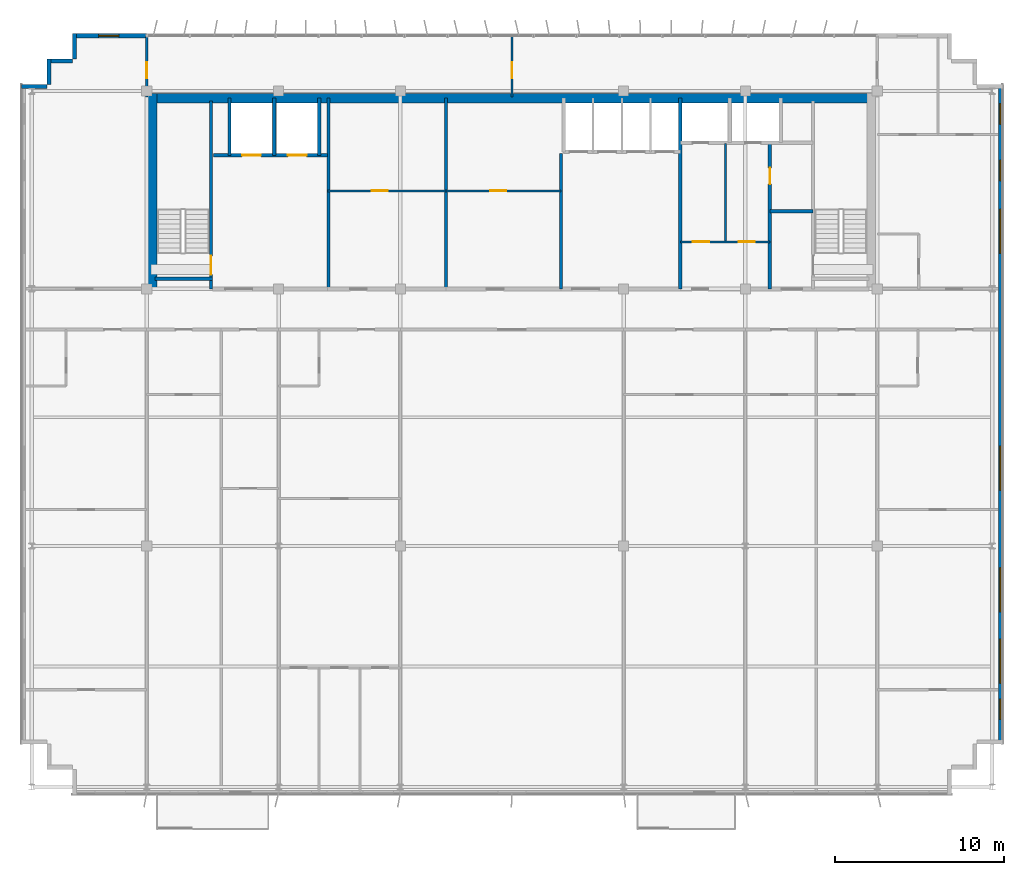
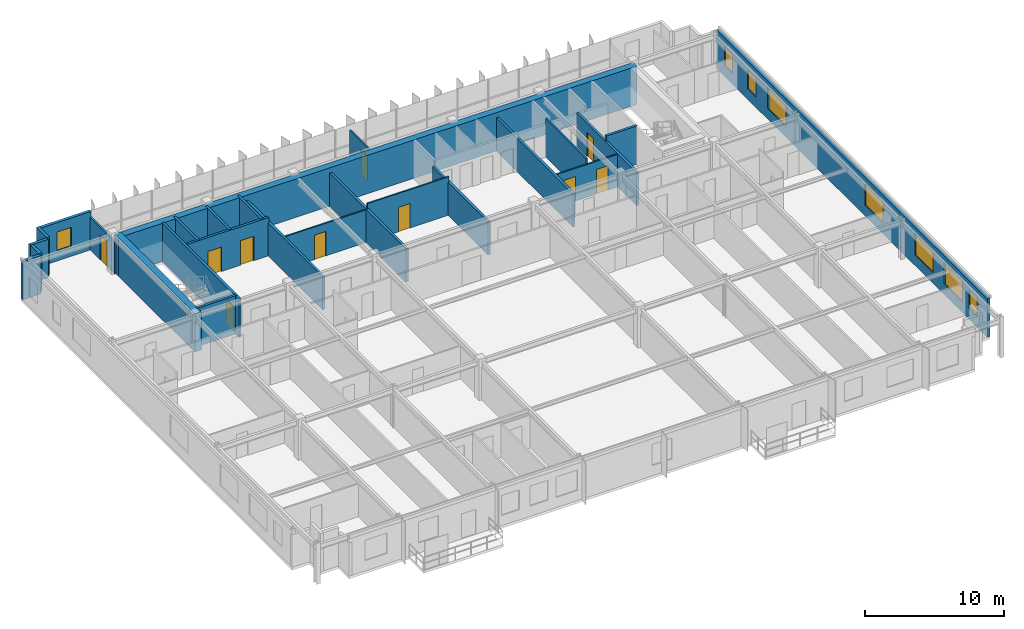
# One storey, part 19 of 22: 26 walls, 10 doors, 8 windows, 18 openings.
"""IFC4 building model written with IfcOpenShell, lengths in metres."""

from ifc_helpers import new_model, si_unit, direction, frame, frame_2d, origin, place, context, subcontext, project, spatial, rectangle, extrude, source, transform, mapped, material, layer, layer_set, type_object, element, fill, save


model = new_model("IFC4")

# Units and contexts
model_context = context("Model", 3, precision=1e-05, world=origin(), true_north=direction((0.0, 1.0)))
body_context = subcontext(model_context, "Body", "Model", "MODEL_VIEW")
ifc_project = project(units=[si_unit("LENGTHUNIT", "METRE"), si_unit("AREAUNIT", "SQUARE_METRE"), si_unit("VOLUMEUNIT", "CUBIC_METRE"), si_unit("PLANEANGLEUNIT", "RADIAN"), si_unit("MASSUNIT", "GRAM", prefix="KILO")], contexts=[model_context])

# Site, building, storey
site_placement = place(None, origin())
site = spatial("IfcSite", under=ifc_project, at=site_placement, CompositionType="ELEMENT")
building_placement = place(site_placement, origin())
building = spatial("IfcBuilding", under=site, at=building_placement, Name="Trelvane Seafront Commons", CompositionType="ELEMENT")
storey_placement = place(building_placement, frame((0.0, 0.0, 270.300048828125)))
storey = spatial("IfcBuildingStorey", under=building, at=storey_placement, Name="L70", CompositionType="ELEMENT", Elevation=270.300048828125)

# Wall, opening, window
ifc_material_1 = material(Name="Precast concrete C40/50", Category="concrete")
ifc_layer_1 = layer(ifc_material_1, 0.239990234375, Name="ARCH-WALL-EXT240")
ifc_layer_set_1 = layer_set([ifc_layer_1], Name="Precast concrete C40/50")
wall_type_1 = type_object("IfcWallType", Name="ARCH-WALL-EXT240", PredefinedType="SOLIDWALL", material=ifc_layer_set_1)
wall_1_placement = place(storey_placement, frame((11.300048828125, 48.3701171875, 0.0), z_axis=(0.0, 0.0, 1.0), x_axis=(1.0, 0.0, 0.0)))
wall_1 = element("IfcWall", 1, at=wall_1_placement, inside=storey, type_object=wall_type_1, Name="EW-L70-NW-1403", PredefinedType="SOLIDWALL", context=body_context, shape_type="SweptSolid", body=[
    extrude(rectangle(XDim=4.300048828125, YDim=0.239990234375, at=frame_2d((2.14990234375, 0.0))), origin(), (0.0, 0.0, 1.0), 3.369873046875),
])
opening_1_placement = place(wall_1_placement, frame((1.4599609375, 0.0, 0.89990234375)))
opening_1 = element("IfcOpeningElement", 2, at=opening_1_placement, cuts=wall_1, Name="Opening W05", PredefinedType="OPENING", context=body_context, shape_type="SweptSolid", body=[
    extrude(rectangle(XDim=1.199951171875, YDim=1.64990234375, at=frame_2d((0.60009765625, 0.824951171875))), frame((0.0, 0.1298828125, 0.0), z_axis=(0.0, -1.0, 0.0), x_axis=(1.0, 0.0, 0.0)), (0.0, 0.0, 1.0), 0.260009765625),
])
ifc_material_2 = material(Name="Low-E coastal double glazing", Category="glass")
window_type_1 = type_object("IfcWindowType", Name="ARCH-WIN-W05", PartitioningType="SINGLE_PANEL", PredefinedType="WINDOW", material=ifc_material_2)
shared_shape_1 = source(origin(), body_context, "Body", "SweptSolid", [
    extrude(rectangle(XDim=1.199951171875, YDim=1.64990234375, at=frame_2d((0.60009765625, 0.824951171875))), frame((0.0, 0.030029296875, 0.0), z_axis=(0.0, -1.0, 0.0), x_axis=(1.0, 0.0, 0.0)), (0.0, 0.0, 1.0), 0.06005859375),
])
window_1_placement = place(opening_1_placement, origin())
window_1 = element("IfcWindow", 3, at=window_1_placement, inside=storey, type_object=window_type_1, Name="WIN-L70-01672", OverallHeight=1.64990234375, OverallWidth=1.199951171875, PartitioningType="SINGLE_PANEL", PredefinedType="WINDOW", context=body_context, shape_type="MappedRepresentation", body=[
    mapped(shared_shape_1, transform((0.0, 0.0, 0.0), x_axis=(1.0, 0.0, 0.0), y_axis=(0.0, 1.0, 0.0), z_axis=(0.0, 0.0, 1.0), scale=1.0)),
])
fill(opening_1, window_1)

# Walls
for number, where, z_axis, x_axis, name in (
    (4, (8.199951171875, 45.3798828125, 0.0), (0.0, 0.0, 1.0), (1.0, 0.0, 0.0), "EW-L70-01409"),
    (5, (9.820068359375, 45.5, 0.0), (0.0, 0.0, 1.0), (0.0, 1.0, 0.0), "EW-L70-01410"),
    (6, (9.699951171875, 46.8798828125, 0.0), (0.0, 0.0, 1.0), (1.0, 0.0, 0.0), "EW-L70-01411"),
    (7, (11.320068359375, 47.0, 0.0), (0.0, 0.0, 1.0), (0.0, 1.0, 0.0), "EW-L70-01412"),
):
    element("IfcWall", number, at=place(storey_placement, frame(where, z_axis=z_axis, x_axis=x_axis)), inside=storey, type_object=wall_type_1, Name=name, PredefinedType="SOLIDWALL", context=body_context, shape_type="SweptSolid", body=[
        extrude(rectangle(XDim=1.5, YDim=0.239990234375, at=frame_2d((0.75, 0.0))), origin(), (0.0, 0.0, 1.0), 3.369873046875),
    ])

# Wall, openings, windows
wall_2_placement = place(storey_placement, frame((66.080078125, 45.5, 0.0), z_axis=(0.0, 0.0, 1.0), x_axis=(0.0, -1.0, 0.0)))
wall_2 = element("IfcWall", 8, at=wall_2_placement, inside=storey, type_object=wall_type_1, Name="EW-L70-01417", PredefinedType="SOLIDWALL", context=body_context, shape_type="SweptSolid", body=[
    extrude(rectangle(XDim=39.0, YDim=0.239990234375, at=frame_2d((19.5, 0.0))), origin(), (0.0, 0.0, 1.0), 3.369873046875),
])
opening_2_placement = place(wall_2_placement, frame((36.35009765625, 0.0, 0.919921875)))
opening_2 = element("IfcOpeningElement", 9, at=opening_2_placement, cuts=wall_2, Name="Opening W05", PredefinedType="OPENING", context=body_context, shape_type="SweptSolid", body=[
    extrude(rectangle(XDim=1.199951171875, YDim=1.64990234375, at=frame_2d((0.60009765625, 0.824951171875))), frame((0.0, 0.1298828125, 0.0), z_axis=(0.0, -1.0, 0.0), x_axis=(1.0, 0.0, 0.0)), (0.0, 0.0, 1.0), 0.260009765625),
])
opening_3_placement = place(wall_2_placement, frame((32.800048828125, 0.0, 0.919921875)))
opening_3 = element("IfcOpeningElement", 10, at=opening_3_placement, cuts=wall_2, Name="Opening W04", PredefinedType="OPENING", context=body_context, shape_type="SweptSolid", body=[
    extrude(rectangle(XDim=2.60009765625, YDim=1.89990234375, at=frame_2d((1.300048828125, 0.949951171875))), frame((0.0, 0.1298828125, 0.0), z_axis=(0.0, -1.0, 0.0), x_axis=(1.0, 0.0, 0.0)), (0.0, 0.0, 1.0), 0.260009765625),
])
opening_4_placement = place(wall_2_placement, frame((28.60009765625, 0.0, 0.919921875)))
opening_4 = element("IfcOpeningElement", 11, at=opening_4_placement, cuts=wall_2, Name="Opening W04", PredefinedType="OPENING", context=body_context, shape_type="SweptSolid", body=[
    extrude(rectangle(XDim=2.60009765625, YDim=1.89990234375, at=frame_2d((1.300048828125, 0.949951171875))), frame((0.0, 0.1298828125, 0.0), z_axis=(0.0, -1.0, 0.0), x_axis=(1.0, 0.0, 0.0)), (0.0, 0.0, 1.0), 0.260009765625),
])
opening_5_placement = place(wall_2_placement, frame((21.39990234375, 0.0, 0.919921875)))
opening_5 = element("IfcOpeningElement", 12, at=opening_5_placement, cuts=wall_2, Name="Opening W04", PredefinedType="OPENING", context=body_context, shape_type="SweptSolid", body=[
    extrude(rectangle(XDim=2.60009765625, YDim=1.89990234375, at=frame_2d((1.300048828125, 0.949951171875))), frame((0.0, 0.1298828125, 0.0), z_axis=(0.0, -1.0, 0.0), x_axis=(1.0, 0.0, 0.0)), (0.0, 0.0, 1.0), 0.260009765625),
])
opening_6_placement = place(wall_2_placement, frame((7.39990234375, 0.0, 0.919921875)))
opening_6 = element("IfcOpeningElement", 13, at=opening_6_placement, cuts=wall_2, Name="Opening W04", PredefinedType="OPENING", context=body_context, shape_type="SweptSolid", body=[
    extrude(rectangle(XDim=2.60009765625, YDim=1.89990234375, at=frame_2d((1.300048828125, 0.949951171875))), frame((0.0, 0.1298828125, 0.0), z_axis=(0.0, -1.0, 0.0), x_axis=(1.0, 0.0, 0.0)), (0.0, 0.0, 1.0), 0.260009765625),
])
opening_7_placement = place(wall_2_placement, frame((4.5, 0.0, 0.919921875)))
opening_7 = element("IfcOpeningElement", 14, at=opening_7_placement, cuts=wall_2, Name="Opening W05", PredefinedType="OPENING", context=body_context, shape_type="SweptSolid", body=[
    extrude(rectangle(XDim=1.199951171875, YDim=1.64990234375, at=frame_2d((0.60009765625, 0.824951171875))), frame((0.0, 0.1298828125, 0.0), z_axis=(0.0, -1.0, 0.0), x_axis=(1.0, 0.0, 0.0)), (0.0, 0.0, 1.0), 0.260009765625),
])
opening_8_placement = place(wall_2_placement, frame((1.14990234375, 0.0, 0.919921875)))
opening_8 = element("IfcOpeningElement", 15, at=opening_8_placement, cuts=wall_2, Name="Opening W05", PredefinedType="OPENING", context=body_context, shape_type="SweptSolid", body=[
    extrude(rectangle(XDim=1.199951171875, YDim=1.64990234375, at=frame_2d((0.60009765625, 0.824951171875))), frame((0.0, 0.1298828125, 0.0), z_axis=(0.0, -1.0, 0.0), x_axis=(1.0, 0.0, 0.0)), (0.0, 0.0, 1.0), 0.260009765625),
])
window_type_2 = type_object("IfcWindowType", Name="ARCH-WIN-W04", PartitioningType="SINGLE_PANEL", PredefinedType="WINDOW", material=ifc_material_2)
shared_shape_2 = source(origin(), body_context, "Body", "SweptSolid", [
    extrude(rectangle(XDim=2.60009765625, YDim=1.89990234375, at=frame_2d((1.300048828125, 0.949951171875))), frame((0.0, 0.030029296875, 0.0), z_axis=(0.0, -1.0, 0.0), x_axis=(1.0, 0.0, 0.0)), (0.0, 0.0, 1.0), 0.06005859375),
])
window_2_placement = place(opening_3_placement, origin())
window_2 = element("IfcWindow", 16, at=window_2_placement, inside=storey, type_object=window_type_2, Name="WIN-L70-EW-01682", OverallHeight=1.89990234375, OverallWidth=2.60009765625, PartitioningType="SINGLE_PANEL", PredefinedType="WINDOW", context=body_context, shape_type="MappedRepresentation", body=[
    mapped(shared_shape_2, transform((0.0, 0.0, 0.0), x_axis=(1.0, 0.0, 0.0), y_axis=(0.0, 1.0, 0.0), z_axis=(0.0, 0.0, 1.0), scale=1.0)),
])
fill(opening_3, window_2)
window_3_placement = place(opening_4_placement, origin())
window_3 = element("IfcWindow", 17, at=window_3_placement, inside=storey, type_object=window_type_2, Name="WIN-L70-EW-01683", OverallHeight=1.89990234375, OverallWidth=2.60009765625, PartitioningType="SINGLE_PANEL", PredefinedType="WINDOW", context=body_context, shape_type="MappedRepresentation", body=[
    mapped(shared_shape_2, transform((0.0, 0.0, 0.0), x_axis=(1.0, 0.0, 0.0), y_axis=(0.0, 1.0, 0.0), z_axis=(0.0, 0.0, 1.0), scale=1.0)),
])
fill(opening_4, window_3)
window_4_placement = place(opening_5_placement, origin())
window_4 = element("IfcWindow", 18, at=window_4_placement, inside=storey, type_object=window_type_2, Name="WIN-L70-EW-01684", OverallHeight=1.89990234375, OverallWidth=2.60009765625, PartitioningType="SINGLE_PANEL", PredefinedType="WINDOW", context=body_context, shape_type="MappedRepresentation", body=[
    mapped(shared_shape_2, transform((0.0, 0.0, 0.0), x_axis=(1.0, 0.0, 0.0), y_axis=(0.0, 1.0, 0.0), z_axis=(0.0, 0.0, 1.0), scale=1.0)),
])
fill(opening_5, window_4)
window_5_placement = place(opening_6_placement, origin())
window_5 = element("IfcWindow", 19, at=window_5_placement, inside=storey, type_object=window_type_2, Name="WIN-L70-EW-01685", OverallHeight=1.89990234375, OverallWidth=2.60009765625, PartitioningType="SINGLE_PANEL", PredefinedType="WINDOW", context=body_context, shape_type="MappedRepresentation", body=[
    mapped(shared_shape_2, transform((0.0, 0.0, 0.0), x_axis=(1.0, 0.0, 0.0), y_axis=(0.0, 1.0, 0.0), z_axis=(0.0, 0.0, 1.0), scale=1.0)),
])
fill(opening_6, window_5)
window_6_placement = place(opening_2_placement, origin())
window_6 = element("IfcWindow", 20, at=window_6_placement, inside=storey, type_object=window_type_1, Name="WIN-L70-EW-01681", OverallHeight=1.64990234375, OverallWidth=1.199951171875, PartitioningType="SINGLE_PANEL", PredefinedType="WINDOW", context=body_context, shape_type="MappedRepresentation", body=[
    mapped(shared_shape_1, transform((0.0, 0.0, 0.0), x_axis=(1.0, 0.0, 0.0), y_axis=(0.0, 1.0, 0.0), z_axis=(0.0, 0.0, 1.0), scale=1.0)),
])
fill(opening_2, window_6)
window_7_placement = place(opening_7_placement, origin())
window_7 = element("IfcWindow", 21, at=window_7_placement, inside=storey, type_object=window_type_1, Name="WIN-L70-EW-01686", OverallHeight=1.64990234375, OverallWidth=1.199951171875, PartitioningType="SINGLE_PANEL", PredefinedType="WINDOW", context=body_context, shape_type="MappedRepresentation", body=[
    mapped(shared_shape_1, transform((0.0, 0.0, 0.0), x_axis=(1.0, 0.0, 0.0), y_axis=(0.0, 1.0, 0.0), z_axis=(0.0, 0.0, 1.0), scale=1.0)),
])
fill(opening_7, window_7)
window_8_placement = place(opening_8_placement, origin())
window_8 = element("IfcWindow", 22, at=window_8_placement, inside=storey, type_object=window_type_1, Name="WIN-L70-EW-01687", OverallHeight=1.64990234375, OverallWidth=1.199951171875, PartitioningType="SINGLE_PANEL", PredefinedType="WINDOW", context=body_context, shape_type="MappedRepresentation", body=[
    mapped(shared_shape_1, transform((0.0, 0.0, 0.0), x_axis=(1.0, 0.0, 0.0), y_axis=(0.0, 1.0, 0.0), z_axis=(0.0, 0.0, 1.0), scale=1.0)),
])
fill(opening_8, window_8)

# Wall, opening, door
ifc_material_3 = material(Name="Concrete C40/50", Category="concrete")
ifc_layer_2 = layer(ifc_material_3, 0.199951171875, Name="ARCH-WALL-FIRE200")
ifc_layer_set_2 = layer_set([ifc_layer_2], Name="Concrete C40/50")
wall_type_2 = type_object("IfcWallType", Name="ARCH-WALL-FIRE200", PredefinedType="PARTITIONING", material=ifc_layer_set_2)
wall_3_placement = place(storey_placement, frame((52.449951171875, 33.39990234375, 0.0), z_axis=(0.0, 0.0, 1.0), x_axis=(0.0, 1.0, 0.0)))
wall_3 = element("IfcWall", 23, at=wall_3_placement, inside=storey, type_object=wall_type_2, Name="W-L70-ST2V-W-030", PredefinedType="PARTITIONING", context=body_context, shape_type="SweptSolid", body=[
    extrude(rectangle(XDim=8.650146484375, YDim=0.199951171875, at=frame_2d((4.3251953125, 0.0))), origin(), (0.0, 0.0, 1.0), 2.919921875),
])
opening_9_placement = place(wall_3_placement, frame((6.199951171875, 0.0, 0.0)))
opening_9 = element("IfcOpeningElement", 24, at=opening_9_placement, cuts=wall_3, Name="Opening FD-L70-17", PredefinedType="OPENING", context=body_context, shape_type="SweptSolid", body=[
    extrude(rectangle(XDim=0.949951171875, YDim=2.14990234375, at=frame_2d((0.47509765625, 1.074951171875))), frame((0.0, 0.10986328125, 0.0), z_axis=(0.0, -1.0, 0.0), x_axis=(1.0, 0.0, 0.0)), (0.0, 0.0, 1.0), 0.219970703125),
])
ifc_material_4 = material(Name="Powder-coated aluminium frame", Category="aluminium")
door_type_1 = type_object("IfcDoorType", Name="ARCH-DR-FD60-950", OperationType="NOTDEFINED", PredefinedType="DOOR", material=ifc_material_4)
shared_shape_3 = source(origin(), body_context, "Body", "SweptSolid", [
    extrude(rectangle(XDim=0.949951171875, YDim=2.14990234375, at=frame_2d((0.47509765625, 1.074951171875))), frame((0.0, 0.02490234375, 0.0), z_axis=(0.0, -1.0, 0.0), x_axis=(1.0, 0.0, 0.0)), (0.0, 0.0, 1.0), 0.050048828125),
])
door_1_placement = place(opening_9_placement, origin())
door_1 = element("IfcDoor", 25, at=door_1_placement, inside=storey, type_object=door_type_1, Name="L70 Cleaner Store Door", OperationType="SINGLE_SWING_LEFT", OverallHeight=2.14990234375, OverallWidth=0.949951171875, PredefinedType="DOOR", context=body_context, shape_type="MappedRepresentation", body=[
    mapped(shared_shape_3, transform((0.0, 0.0, 0.0), x_axis=(1.0, 0.0, 0.0), y_axis=(0.0, 1.0, 0.0), z_axis=(0.0, 0.0, 1.0), scale=1.0)),
])
fill(opening_9, door_1)

# Wall
wall_4_placement = place(storey_placement, frame((52.449951171875, 38.0, 0.0), z_axis=(0.0, 0.0, 1.0), x_axis=(1.0, 0.0, 0.0)))
element("IfcWall", 26, at=wall_4_placement, inside=storey, type_object=wall_type_2, Name="W-L70-ST2V-N-031", PredefinedType="PARTITIONING", context=body_context, shape_type="SweptSolid", body=[
    extrude(rectangle(XDim=2.550048828125, YDim=0.199951171875, at=frame_2d((1.27490234375, 0.0))), origin(), (0.0, 0.0, 1.0), 3.369873046875),
])

# Wall, opening, door
ifc_material_5 = material(Name="Gypsum Drywall Acoustic Partition")
ifc_layer_3 = layer(ifc_material_5, 0.1201171875, Name="ARCH-WALL-PART120")
ifc_layer_set_3 = layer_set([ifc_layer_3], Name="Gypsum Drywall Acoustic Partition")
wall_type_3 = type_object("IfcWallType", Name="ARCH-WALL-PART120", PredefinedType="PARTITIONING", material=ifc_layer_set_3)
wall_5_placement = place(storey_placement, frame((26.300048828125, 39.199951171875, 0.0), z_axis=(0.0, 0.0, 1.0), x_axis=(1.0, 0.0, 0.0)))
wall_5 = element("IfcWall", 27, at=wall_5_placement, inside=storey, type_object=wall_type_3, Name="W-L70-FREED-PL-MID-014", PredefinedType="PARTITIONING", context=body_context, shape_type="SweptSolid", body=[
    extrude(rectangle(XDim=7.0, YDim=0.1201171875, at=frame_2d((3.5, 0.0))), origin(), (0.0, 0.0, 1.0), 2.869873046875),
])
opening_10_placement = place(wall_5_placement, frame((2.60009765625, 0.0, 0.0)))
opening_10 = element("IfcOpeningElement", 28, at=opening_10_placement, cuts=wall_5, Name="Opening D-L70-06", PredefinedType="OPENING", context=body_context, shape_type="SweptSolid", body=[
    extrude(rectangle(XDim=0.949951171875, YDim=2.14990234375, at=frame_2d((0.47509765625, 1.074951171875))), frame((0.0, 0.070068359375, 0.0), z_axis=(0.0, -1.0, 0.0), x_axis=(1.0, 0.0, 0.0)), (0.0, 0.0, 1.0), 0.14013671875),
])
ifc_material_6 = material(Name="Acoustic timber door leaf", Category="wood")
door_type_2 = type_object("IfcDoorType", Name="ARCH-DR-INT950", OperationType="NOTDEFINED", PredefinedType="DOOR", material=ifc_material_6)
door_2_placement = place(opening_10_placement, origin())
door_2 = element("IfcDoor", 29, at=door_2_placement, inside=storey, type_object=door_type_2, Name="L70 Housekeeping Store Door", OperationType="SINGLE_SWING_RIGHT", OverallHeight=2.14990234375, OverallWidth=0.949951171875, PredefinedType="DOOR", context=body_context, shape_type="MappedRepresentation", body=[
    mapped(shared_shape_3, transform((0.0, 0.0, 0.0), x_axis=(1.0, 0.0, 0.0), y_axis=(0.0, 1.0, 0.0), z_axis=(0.0, 0.0, 1.0), scale=1.0)),
])
fill(opening_10, door_2)

wall_6_placement = place(storey_placement, frame((33.300048828125, 39.199951171875, 0.0), z_axis=(0.0, 0.0, 1.0), x_axis=(1.0, 0.0, 0.0)))
wall_6 = element("IfcWall", 30, at=wall_6_placement, inside=storey, type_object=wall_type_3, Name="W-L70-FREED-PM-MID-016", PredefinedType="PARTITIONING", context=body_context, shape_type="SweptSolid", body=[
    extrude(rectangle(XDim=6.800048828125, YDim=0.1201171875, at=frame_2d((3.39990234375, 0.0))), origin(), (0.0, 0.0, 1.0), 3.369873046875),
])
opening_11_placement = place(wall_6_placement, frame((2.60009765625, 0.0, 0.0)))
opening_11 = element("IfcOpeningElement", 31, at=opening_11_placement, cuts=wall_6, Name="Opening D-L70-07", PredefinedType="OPENING", context=body_context, shape_type="SweptSolid", body=[
    extrude(rectangle(XDim=0.949951171875, YDim=2.14990234375, at=frame_2d((0.47509765625, 1.074951171875))), frame((0.0, 0.070068359375, 0.0), z_axis=(0.0, -1.0, 0.0), x_axis=(1.0, 0.0, 0.0)), (0.0, 0.0, 1.0), 0.14013671875),
])
door_3_placement = place(opening_11_placement, origin())
door_3 = element("IfcDoor", 32, at=door_3_placement, inside=storey, type_object=door_type_2, Name="L70 IT Comms Room Door", OperationType="SINGLE_SWING_LEFT", OverallHeight=2.14990234375, OverallWidth=0.949951171875, PredefinedType="DOOR", context=body_context, shape_type="MappedRepresentation", body=[
    mapped(shared_shape_3, transform((0.0, 0.0, 0.0), x_axis=(1.0, 0.0, 0.0), y_axis=(0.0, 1.0, 0.0), z_axis=(0.0, 0.0, 1.0), scale=1.0)),
])
fill(opening_11, door_3)

# Wall, openings, doors
wall_7_placement = place(storey_placement, frame((47.14990234375, 36.179931640625, 0.0), z_axis=(0.0, 0.0, 1.0), x_axis=(1.0, 0.0, 0.0)))
wall_7 = element("IfcWall", 33, at=wall_7_placement, inside=storey, type_object=wall_type_3, Name="W-L70-CYC1-H-032", PredefinedType="PARTITIONING", context=body_context, shape_type="SweptSolid", body=[
    extrude(rectangle(XDim=5.300048828125, YDim=0.1201171875, at=frame_2d((2.64990234375, 0.0))), origin(), (0.0, 0.0, 1.0), 2.869873046875),
])
opening_12_placement = place(wall_7_placement, frame((0.75, 0.0, 0.0)))
opening_12 = element("IfcOpeningElement", 34, at=opening_12_placement, cuts=wall_7, Name="Opening D-L70-18", PredefinedType="OPENING", context=body_context, shape_type="SweptSolid", body=[
    extrude(rectangle(XDim=0.949951171875, YDim=2.14990234375, at=frame_2d((0.47509765625, 1.074951171875))), frame((0.0, 0.070068359375, 0.0), z_axis=(0.0, -1.0, 0.0), x_axis=(1.0, 0.0, 0.0)), (0.0, 0.0, 1.0), 0.14013671875),
])
opening_13_placement = place(wall_7_placement, frame((3.449951171875, 0.0, 0.0)))
opening_13 = element("IfcOpeningElement", 35, at=opening_13_placement, cuts=wall_7, Name="Opening D-L70-19", PredefinedType="OPENING", context=body_context, shape_type="SweptSolid", body=[
    extrude(rectangle(XDim=0.949951171875, YDim=2.14990234375, at=frame_2d((0.47509765625, 1.074951171875))), frame((0.0, 0.070068359375, 0.0), z_axis=(0.0, -1.0, 0.0), x_axis=(1.0, 0.0, 0.0)), (0.0, 0.0, 1.0), 0.14013671875),
])
door_4_placement = place(opening_12_placement, origin())
door_4 = element("IfcDoor", 36, at=door_4_placement, inside=storey, type_object=door_type_2, Name="L70 Accessible WC Door", OperationType="SINGLE_SWING_RIGHT", OverallHeight=2.14990234375, OverallWidth=0.949951171875, PredefinedType="DOOR", context=body_context, shape_type="MappedRepresentation", body=[
    mapped(shared_shape_3, transform((0.0, 0.0, 0.0), x_axis=(1.0, 0.0, 0.0), y_axis=(0.0, 1.0, 0.0), z_axis=(0.0, 0.0, 1.0), scale=1.0)),
])
fill(opening_12, door_4)
door_5_placement = place(opening_13_placement, origin())
door_5 = element("IfcDoor", 37, at=door_5_placement, inside=storey, type_object=door_type_2, Name="L70 BMS Room Door", OperationType="SINGLE_SWING_LEFT", OverallHeight=2.14990234375, OverallWidth=0.949951171875, PredefinedType="DOOR", context=body_context, shape_type="MappedRepresentation", body=[
    mapped(shared_shape_3, transform((0.0, 0.0, 0.0), x_axis=(1.0, 0.0, 0.0), y_axis=(0.0, 1.0, 0.0), z_axis=(0.0, 0.0, 1.0), scale=1.0)),
])
fill(opening_13, door_5)

# Wall
wall_8_placement = place(storey_placement, frame((49.820068359375, 36.179931640625, 0.0), z_axis=(0.0, 0.0, 1.0), x_axis=(0.0, 1.0, 0.0)))
element("IfcWall", 38, at=wall_8_placement, inside=storey, type_object=wall_type_3, Name="W-L70-CYC1-V-033", PredefinedType="PARTITIONING", context=body_context, shape_type="SweptSolid", body=[
    extrude(rectangle(XDim=5.820068359375, YDim=0.1201171875, at=frame_2d((2.91015625, 0.0))), origin(), (0.0, 0.0, 1.0), 3.369873046875),
])

# Wall, opening, door
wall_9_placement = place(storey_placement, frame((37.199951171875, 44.75, 0.0), z_axis=(0.0, 0.0, 1.0), x_axis=(0.0, 1.0, 0.0)))
wall_9 = element("IfcWall", 39, at=wall_9_placement, inside=storey, type_object=wall_type_3, Name="W-L70-N-MID-DV-042", PredefinedType="PARTITIONING", context=body_context, shape_type="SweptSolid", body=[
    extrude(rectangle(XDim=3.610107421875, YDim=0.1201171875, at=frame_2d((1.80517578125, 0.0))), origin(), (0.0, 0.0, 1.0), 2.919921875),
])
opening_14_placement = place(wall_9_placement, frame((1.10009765625, 0.0, 0.0)))
opening_14 = element("IfcOpeningElement", 40, at=opening_14_placement, cuts=wall_9, Name="Opening D-L70-27", PredefinedType="OPENING", context=body_context, shape_type="SweptSolid", body=[
    extrude(rectangle(XDim=0.949951171875, YDim=2.14990234375, at=frame_2d((0.47509765625, 1.074951171875))), frame((0.0, 0.070068359375, 0.0), z_axis=(0.0, -1.0, 0.0), x_axis=(1.0, 0.0, 0.0)), (0.0, 0.0, 1.0), 0.14013671875),
])
door_6_placement = place(opening_14_placement, origin())
door_6 = element("IfcDoor", 41, at=door_6_placement, inside=storey, type_object=door_type_2, Name="L70 Door 27", OperationType="SINGLE_SWING_LEFT", OverallHeight=2.14990234375, OverallWidth=0.949951171875, PredefinedType="DOOR", context=body_context, shape_type="MappedRepresentation", body=[
    mapped(shared_shape_3, transform((0.0, 0.0, 0.0), x_axis=(1.0, 0.0, 0.0), y_axis=(0.0, 1.0, 0.0), z_axis=(0.0, 0.0, 1.0), scale=1.0)),
])
fill(opening_14, door_6)

ifc_layer_4 = layer(ifc_material_5, 0.14990234375, Name="ARCH-WALL-PART150")
ifc_layer_set_4 = layer_set([ifc_layer_4], Name="Gypsum Drywall Acoustic Partition")
wall_type_4 = type_object("IfcWallType", Name="ARCH-WALL-PART150", PredefinedType="PARTITIONING", material=ifc_layer_set_4)
wall_10_placement = place(storey_placement, frame((15.60009765625, 44.75, 0.0), z_axis=(0.0, 0.0, 1.0), x_axis=(0.0, 1.0, 0.0)))
wall_10 = element("IfcWall", 42, at=wall_10_placement, inside=storey, type_object=wall_type_4, Name="W-L70-N-LINK-W-043", PredefinedType="PARTITIONING", context=body_context, shape_type="SweptSolid", body=[
    extrude(rectangle(XDim=3.610107421875, YDim=0.14990234375, at=frame_2d((1.80517578125, 0.0))), origin(), (0.0, 0.0, 1.0), 2.869873046875),
])
opening_15_placement = place(wall_10_placement, frame((1.10009765625, 0.0, 0.0)))
opening_15 = element("IfcOpeningElement", 43, at=opening_15_placement, cuts=wall_10, Name="Opening FD-L70-28", PredefinedType="OPENING", context=body_context, shape_type="SweptSolid", body=[
    extrude(rectangle(XDim=0.949951171875, YDim=2.14990234375, at=frame_2d((0.47509765625, 1.074951171875))), frame((0.0, 0.0849609375, 0.0), z_axis=(0.0, -1.0, 0.0), x_axis=(1.0, 0.0, 0.0)), (0.0, 0.0, 1.0), 0.169921875),
])
door_7_placement = place(opening_15_placement, origin())
door_7 = element("IfcDoor", 44, at=door_7_placement, inside=storey, type_object=door_type_1, Name="L70 Door 28", OperationType="SINGLE_SWING_RIGHT", OverallHeight=2.14990234375, OverallWidth=0.949951171875, PredefinedType="DOOR", context=body_context, shape_type="MappedRepresentation", body=[
    mapped(shared_shape_3, transform((0.0, 0.0, 0.0), x_axis=(1.0, 0.0, 0.0), y_axis=(0.0, 1.0, 0.0), z_axis=(0.0, 0.0, 1.0), scale=1.0)),
])
fill(opening_15, door_7)

# Wall, openings, doors
ifc_layer_5 = layer(ifc_material_3, 0.199951171875, Name="ARCH-WALL-SHAFT200")
ifc_layer_set_5 = layer_set([ifc_layer_5], Name="Concrete C40/50")
wall_type_5 = type_object("IfcWallType", Name="ARCH-WALL-SHAFT200", PredefinedType="SOLIDWALL", material=ifc_layer_set_5)
wall_11_placement = place(storey_placement, frame((19.550048828125, 41.300048828125, 0.0), z_axis=(0.0, 0.0, 1.0), x_axis=(1.0, 0.0, 0.0)))
wall_11 = element("IfcWall", 45, at=wall_11_placement, inside=storey, type_object=wall_type_5, Name="W-L70-FFL-FRONT-008", PredefinedType="SOLIDWALL", context=body_context, shape_type="SweptSolid", body=[
    extrude(rectangle(XDim=6.75, YDim=0.199951171875, at=frame_2d((3.375, 0.0))), origin(), (0.0, 0.0, 1.0), 3.369873046875),
])
opening_16_placement = place(wall_11_placement, frame((1.699951171875, 0.0, 0.0)))
opening_16 = element("IfcOpeningElement", 46, at=opening_16_placement, cuts=wall_11, Name="Opening LD-FF1-L70", PredefinedType="OPENING", context=body_context, shape_type="SweptSolid", body=[
    extrude(rectangle(XDim=1.10009765625, YDim=2.14990234375, at=frame_2d((0.550048828125, 1.074951171875))), frame((0.0, 0.10986328125, 0.0), z_axis=(0.0, -1.0, 0.0), x_axis=(1.0, 0.0, 0.0)), (0.0, 0.0, 1.0), 0.219970703125),
])
opening_17_placement = place(wall_11_placement, frame((4.39990234375, 0.0, 0.0)))
opening_17 = element("IfcOpeningElement", 47, at=opening_17_placement, cuts=wall_11, Name="Opening LD-FF2-L70", PredefinedType="OPENING", context=body_context, shape_type="SweptSolid", body=[
    extrude(rectangle(XDim=1.10009765625, YDim=2.14990234375, at=frame_2d((0.550048828125, 1.074951171875))), frame((0.0, 0.10986328125, 0.0), z_axis=(0.0, -1.0, 0.0), x_axis=(1.0, 0.0, 0.0)), (0.0, 0.0, 1.0), 0.219970703125),
])
ifc_material_7 = material(Name="Stainless steel balustrade", Category="steel")
door_type_3 = type_object("IfcDoorType", Name="ARCH-DR-LD1100", OperationType="DOUBLE_DOOR_SLIDING", PredefinedType="DOOR", material=ifc_material_7)
shared_shape_4 = source(origin(), body_context, "Body", "SweptSolid", [
    extrude(rectangle(XDim=1.10009765625, YDim=2.14990234375, at=frame_2d((0.550048828125, 1.074951171875))), frame((0.0, 0.02490234375, 0.0), z_axis=(0.0, -1.0, 0.0), x_axis=(1.0, 0.0, 0.0)), (0.0, 0.0, 1.0), 0.050048828125),
])
door_8_placement = place(opening_16_placement, origin())
door_8 = element("IfcDoor", 48, at=door_8_placement, inside=storey, type_object=door_type_3, Name="L70 Firefighting Lift FFL-1 Landing Door", OperationType="DOUBLE_DOOR_SLIDING", OverallHeight=2.14990234375, OverallWidth=1.10009765625, PredefinedType="DOOR", context=body_context, shape_type="MappedRepresentation", body=[
    mapped(shared_shape_4, transform((0.0, 0.0, 0.0), x_axis=(1.0, 0.0, 0.0), y_axis=(0.0, 1.0, 0.0), z_axis=(0.0, 0.0, 1.0), scale=1.0)),
])
fill(opening_16, door_8)
door_9_placement = place(opening_17_placement, origin())
door_9 = element("IfcDoor", 49, at=door_9_placement, inside=storey, type_object=door_type_3, Name="L70 Firefighting Lift FFL-2 Landing Door", OperationType="DOUBLE_DOOR_SLIDING", OverallHeight=2.14990234375, OverallWidth=1.10009765625, PredefinedType="DOOR", context=body_context, shape_type="MappedRepresentation", body=[
    mapped(shared_shape_4, transform((0.0, 0.0, 0.0), x_axis=(1.0, 0.0, 0.0), y_axis=(0.0, 1.0, 0.0), z_axis=(0.0, 0.0, 1.0), scale=1.0)),
])
fill(opening_17, door_9)

# Walls
for number, where, z_axis, x_axis, name in (
    (50, (20.5, 41.300048828125, 0.0), (0.0, 0.0, 1.0), (0.0, 1.0, 0.0), "W-L70-FFL-SH-W-009"),
    (51, (23.14990234375, 41.300048828125, 0.0), (0.0, 0.0, 1.0), (0.0, 1.0, 0.0), "W-L70-FFL-DIV-010"),
    (52, (25.800048828125, 41.300048828125, 0.0), (0.0, 0.0, 1.0), (0.0, 1.0, 0.0), "W-L70-FFL-SH-E-011"),
):
    element("IfcWall", number, at=place(storey_placement, frame(where, z_axis=z_axis, x_axis=x_axis)), inside=storey, type_object=wall_type_5, Name=name, PredefinedType="SOLIDWALL", context=body_context, shape_type="SweptSolid", body=[
        extrude(rectangle(XDim=3.39990234375, YDim=0.199951171875, at=frame_2d((1.699951171875, 0.0))), origin(), (0.0, 0.0, 1.0), 3.369873046875),
    ])
for number, where, z_axis, x_axis, name in (
    (53, (26.35009765625, 33.39990234375, 0.0), (0.0, 0.0, 1.0), (0.0, 1.0, 0.0), "W-L70-FFL-EAST-012"),
    (54, (33.300048828125, 33.39990234375, 0.0), (0.0, 0.0, 1.0), (0.0, 1.0, 0.0), "W-L70-FREED-PL-E-015"),
):
    element("IfcWall", number, at=place(storey_placement, frame(where, z_axis=z_axis, x_axis=x_axis)), inside=storey, type_object=wall_type_5, Name=name, PredefinedType="SOLIDWALL", context=body_context, shape_type="SweptSolid", body=[
        extrude(rectangle(XDim=11.300048828125, YDim=0.199951171875, at=frame_2d((5.64990234375, 0.0))), origin(), (0.0, 0.0, 1.0), 2.919921875),
    ])
wall_12_placement = place(storey_placement, frame((40.10009765625, 33.39990234375, 0.0), z_axis=(0.0, 0.0, 1.0), x_axis=(0.0, 1.0, 0.0)))
element("IfcWall", 55, at=wall_12_placement, inside=storey, type_object=wall_type_5, Name="W-L70-FREED-PM-E-017", PredefinedType="SOLIDWALL", context=body_context, shape_type="SweptSolid", body=[
    extrude(rectangle(XDim=8.0, YDim=0.199951171875, at=frame_2d((4.0, 0.0))), origin(), (0.0, 0.0, 1.0), 2.919921875),
])
wall_13_placement = place(storey_placement, frame((47.14990234375, 33.39990234375, 0.0), z_axis=(0.0, 0.0, 1.0), x_axis=(0.0, 1.0, 0.0)))
element("IfcWall", 56, at=wall_13_placement, inside=storey, type_object=wall_type_5, Name="W-L70-PH-EAST-023", PredefinedType="SOLIDWALL", context=body_context, shape_type="SweptSolid", body=[
    extrude(rectangle(XDim=11.300048828125, YDim=0.199951171875, at=frame_2d((5.64990234375, 0.0))), origin(), (0.0, 0.0, 1.0), 2.919921875),
])
ifc_material_8 = material(Name="Concrete C50/60", Category="concrete")
ifc_layer_6 = layer(ifc_material_8, 0.550048828125, Name="STR-WALL-CORE550")
ifc_layer_set_6 = layer_set([ifc_layer_6], Name="Concrete C50/60")
wall_type_6 = type_object("IfcWallType", Name="STR-WALL-CORE550", PredefinedType="SHEAR", material=ifc_layer_set_6)
wall_14_placement = place(storey_placement, frame((15.64990234375, 44.675048828125, 0.0), z_axis=(0.0, 0.0, 1.0), x_axis=(1.0, 0.0, 0.0)))
element("IfcWall", 57, at=wall_14_placement, inside=storey, type_object=wall_type_6, Name="W-L70-CN-ALL-001", PredefinedType="SHEAR", context=body_context, shape_type="SweptSolid", body=[
    extrude(rectangle(XDim=43.10009765625, YDim=0.550048828125, at=frame_2d((21.550048828125, 0.0))), origin(), (0.0, 0.0, 1.0), 3.369873046875),
])
wall_15_placement = place(storey_placement, frame((15.925048828125, 33.39990234375, 0.0), z_axis=(0.0, 0.0, 1.0), x_axis=(0.0, 1.0, 0.0)))
element("IfcWall", 58, at=wall_15_placement, inside=storey, type_object=wall_type_6, Name="W-L70-CW-END-002", PredefinedType="SHEAR", context=body_context, shape_type="SweptSolid", body=[
    extrude(rectangle(XDim=11.550048828125, YDim=0.550048828125, at=frame_2d((5.77490234375, 0.0))), origin(), (0.0, 0.0, 1.0), 3.369873046875),
])
ifc_layer_7 = layer(ifc_material_8, 0.199951171875, Name="STR-WALL-STAIR200")
ifc_layer_set_7 = layer_set([ifc_layer_7], Name="Concrete C50/60")
wall_type_7 = type_object("IfcWallType", Name="STR-WALL-STAIR200", PredefinedType="SHEAR", material=ifc_layer_set_7)
wall_16_placement = place(storey_placement, frame((16.10009765625, 34.0, 0.0), z_axis=(0.0, 0.0, 1.0), x_axis=(1.0, 0.0, 0.0)))
element("IfcWall", 59, at=wall_16_placement, inside=storey, type_object=wall_type_7, Name="W-L70-ST1-S-004", PredefinedType="SHEAR", context=body_context, shape_type="SweptSolid", body=[
    extrude(rectangle(XDim=3.39990234375, YDim=0.199951171875, at=frame_2d((1.699951171875, 0.0))), origin(), (0.0, 0.0, 1.0), 3.369873046875),
])

# Wall, opening, door
wall_17_placement = place(storey_placement, frame((19.39990234375, 33.39990234375, 0.0), z_axis=(0.0, 0.0, 1.0), x_axis=(0.0, 1.0, 0.0)))
wall_17 = element("IfcWall", 60, at=wall_17_placement, inside=storey, type_object=wall_type_7, Name="W-L70-ST1-E-005", PredefinedType="SHEAR", context=body_context, shape_type="SweptSolid", body=[
    extrude(rectangle(XDim=11.10009765625, YDim=0.199951171875, at=frame_2d((5.550048828125, 0.0))), origin(), (0.0, 0.0, 1.0), 3.369873046875),
])
opening_18_placement = place(wall_17_placement, frame((0.85009765625, 0.0, 0.0)))
opening_18 = element("IfcOpeningElement", 61, at=opening_18_placement, cuts=wall_17, Name="Opening ST-D1-L70", PredefinedType="OPENING", context=body_context, shape_type="SweptSolid", body=[
    extrude(rectangle(XDim=1.10009765625, YDim=2.14990234375, at=frame_2d((0.550048828125, 1.074951171875))), frame((0.0, 0.10986328125, 0.0), z_axis=(0.0, -1.0, 0.0), x_axis=(1.0, 0.0, 0.0)), (0.0, 0.0, 1.0), 0.219970703125),
])
door_type_4 = type_object("IfcDoorType", Name="ARCH-DR-FD90-1100", OperationType="NOTDEFINED", PredefinedType="DOOR", material=ifc_material_4)
door_10_placement = place(opening_18_placement, origin())
door_10 = element("IfcDoor", 62, at=door_10_placement, inside=storey, type_object=door_type_4, Name="L70 Stair ST-1 Lobby Fire Door", OperationType="SINGLE_SWING_LEFT", OverallHeight=2.14990234375, OverallWidth=1.10009765625, PredefinedType="DOOR", context=body_context, shape_type="MappedRepresentation", body=[
    mapped(shared_shape_4, transform((0.0, 0.0, 0.0), x_axis=(1.0, 0.0, 0.0), y_axis=(0.0, 1.0, 0.0), z_axis=(0.0, 0.0, 1.0), scale=1.0)),
])
fill(opening_18, door_10)

save(model, "model.ifc")
